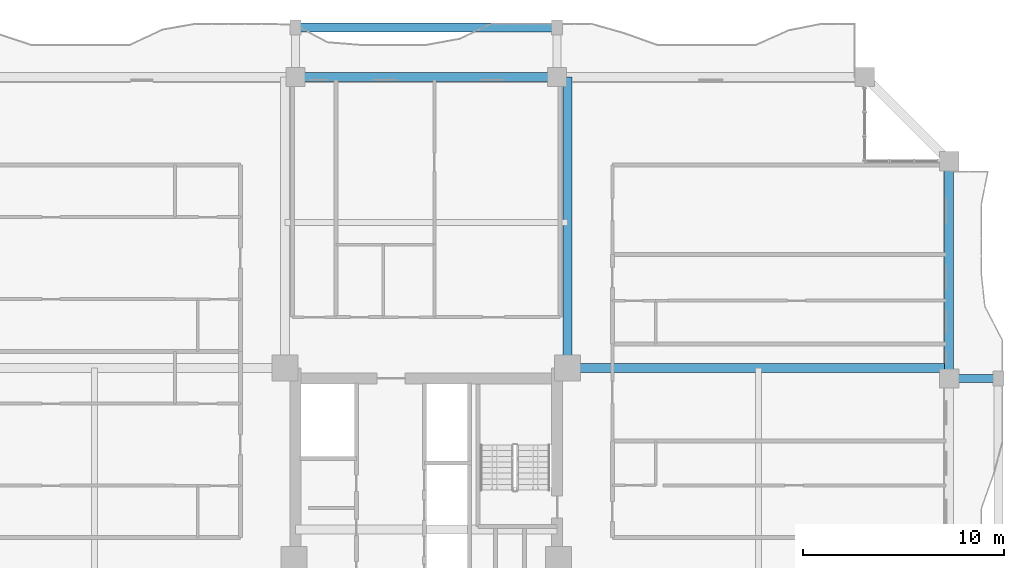
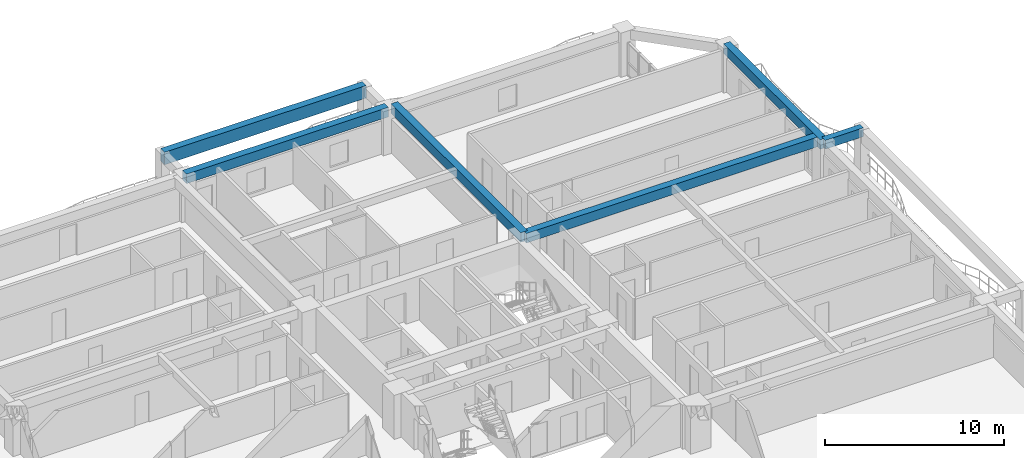
# One storey, part 9 of 24: 6 beams.
"""IFC4 building model written with IfcOpenShell, lengths in metres."""

import ifcopenshell
import ifcopenshell.guid

model = None  # the IFC model being written
_history = None  # IfcOwnerHistory: only IFC2X3 demands one
_inside = {}  # id of a spatial element -> (the spatial element, [elements in it])
_under = {}  # id of a project, library or spatial element -> (it, [spatial elements below it])
_declared = {}  # id of a project -> (the project, [libraries it declares])
_typed = {}  # id of a type object -> (the type object, [elements of that type])
_made_of = {}  # id of a material, layer set ... -> (it, [elements and type objects made of it])


def new_model(schema):
    """Start an empty IFC model of exactly this schema.

    Asked for "IFC4X3", IfcOpenShell would pick the latest addendum, in which some entities
    have other attributes; the version numbers below select the first issue.
    IFC2X3 requires an IfcOwnerHistory on every rooted entity: one is made here for all.
    """
    global model, _history
    if schema == "IFC4X3":
        model = ifcopenshell.file(schema_version=(4, 3, 0, 0))
    else:
        model = ifcopenshell.file(schema=schema)
    _inside.clear()
    _under.clear()
    _declared.clear()
    _typed.clear()
    _made_of.clear()
    _history = None
    if model.schema == "IFC2X3":
        org = make("IfcOrganization", Name="unknown")
        user = make(
            "IfcPersonAndOrganization",
            ThePerson=make("IfcPerson", FamilyName="unknown"),
            TheOrganization=org,
        )
        app = make(
            "IfcApplication",
            ApplicationDeveloper=org,
            Version="unknown",
            ApplicationFullName="unknown",
            ApplicationIdentifier="unknown",
        )
        _history = make(
            "IfcOwnerHistory",
            OwningUser=user,
            OwningApplication=app,
            ChangeAction="ADDED",
            CreationDate=0,
        )
    return model


def make(cls, **values):
    """One entity of the class cls with the attributes given. An attribute that is None is left unset."""
    return model.create_entity(
        cls, **{name: value for name, value in values.items() if value is not None}
    )


def rooted(cls, **values):
    """An entity with a GlobalId (a new one), such as an element, a storey or a relation."""
    return make(cls, GlobalId=ifcopenshell.guid.new(), OwnerHistory=_history, **values)


def si_unit(unit_type, name, prefix=None):
    """IfcSIUnit, for example si_unit("LENGTHUNIT", "METRE", prefix="MILLI")."""
    return make("IfcSIUnit", UnitType=unit_type, Prefix=prefix, Name=name)


def assignment(units):
    """IfcUnitAssignment: the units of a project."""
    return None if units is None else make("IfcUnitAssignment", Units=units)


def point(xyz):
    """IfcCartesianPoint."""
    return None if xyz is None else make("IfcCartesianPoint", Coordinates=xyz)


def direction(xyz):
    """IfcDirection."""
    return None if xyz is None else make("IfcDirection", DirectionRatios=xyz)


def frame(location, z_axis=None, x_axis=None):
    """IfcAxis2Placement3D, a coordinate frame: its origin and axes. An axis left out is left unset."""
    return make(
        "IfcAxis2Placement3D",
        Location=point(location),
        Axis=direction(z_axis),
        RefDirection=direction(x_axis),
    )


def frame_2d(location, x_axis=None):
    """IfcAxis2Placement2D, a coordinate frame in the plane: its origin and x axis."""
    return make(
        "IfcAxis2Placement2D", Location=point(location), RefDirection=direction(x_axis)
    )


def origin():
    """The frame at (0, 0, 0) with its axes left unset."""
    return frame((0.0, 0.0, 0.0))


def origin_2d():
    """The frame at (0, 0) in the plane with its x axis left unset."""
    return frame_2d((0.0, 0.0))


def place(relative_to, where):
    """IfcLocalPlacement: puts the frame where relative to a parent placement (None: the world)."""
    return make(
        "IfcLocalPlacement", PlacementRelTo=relative_to, RelativePlacement=where
    )


def context(
    kind, dimensions, precision=None, world=None, true_north=None, identifier=None
):
    """IfcGeometricRepresentationContext, for example the 3D "Model" context."""
    return make(
        "IfcGeometricRepresentationContext",
        ContextIdentifier=identifier,
        ContextType=kind,
        CoordinateSpaceDimension=dimensions,
        Precision=precision,
        WorldCoordinateSystem=world,
        TrueNorth=true_north,
    )


def subcontext(parent, identifier, kind, view, scale=None):
    """IfcGeometricRepresentationSubContext, for example "Body" below "Model"."""
    return make(
        "IfcGeometricRepresentationSubContext",
        ContextIdentifier=identifier,
        ContextType=kind,
        ParentContext=parent,
        TargetScale=scale,
        TargetView=view,
    )


def project(units=None, contexts=None):
    """IfcProject with its units and contexts."""
    return rooted(
        "IfcProject",
        Name="project",
        RepresentationContexts=contexts,
        UnitsInContext=assignment(units),
    )


def spatial(cls, under=None, at=None, **own):
    """A site, building, storey or space (cls), placed at a placement, below another one or the project."""
    s = rooted(cls, ObjectPlacement=at, **own)
    if under is not None:
        _under.setdefault(under.id(), (under, []))[1].append(s)
    return s


def profile(cls, at=None, kind="AREA", **sizes):
    """A parametric profile (cls). Its sizes go by their IFC names, for example OverallWidth=200.0."""
    return make(cls, ProfileType=kind, Position=at, **sizes)


def rectangle(**sizes):
    """IfcRectangleProfileDef."""
    return profile("IfcRectangleProfileDef", **sizes)


def extrude(swept, where, along, depth):
    """IfcExtrudedAreaSolid: the profile swept, set in the frame where, extruded along a direction by depth."""
    return make(
        "IfcExtrudedAreaSolid",
        SweptArea=swept,
        Position=where,
        ExtrudedDirection=direction(along),
        Depth=depth,
    )


def shape(context_of_items, identifier, shape_type, items):
    """IfcShapeRepresentation: the items that make up one representation, for example the "Body"."""
    return make(
        "IfcShapeRepresentation",
        ContextOfItems=context_of_items,
        RepresentationIdentifier=identifier,
        RepresentationType=shape_type,
        Items=items,
    )


def source(mapping_origin, context_of_items, identifier, shape_type, items):
    """IfcRepresentationMap: a shape defined once, which mapped items show again and again."""
    return make(
        "IfcRepresentationMap",
        MappingOrigin=mapping_origin,
        MappedRepresentation=shape(context_of_items, identifier, shape_type, items),
    )


def transform(
    local_origin,
    x_axis=None,
    y_axis=None,
    z_axis=None,
    scale=None,
    scale2=None,
    scale3=None,
    uniform=True,
):
    """IfcCartesianTransformationOperator3D, or its non-uniform kind. x_axis, y_axis, z_axis: its Axis1, 2, 3."""
    if uniform:
        return make(
            "IfcCartesianTransformationOperator3D",
            Axis1=direction(x_axis),
            Axis2=direction(y_axis),
            LocalOrigin=point(local_origin),
            Scale=scale,
            Axis3=direction(z_axis),
        )
    return make(
        "IfcCartesianTransformationOperator3DnonUniform",
        Axis1=direction(x_axis),
        Axis2=direction(y_axis),
        LocalOrigin=point(local_origin),
        Scale=scale,
        Axis3=direction(z_axis),
        Scale2=scale2,
        Scale3=scale3,
    )


def mapped(mapping_source, mapping_target):
    """IfcMappedItem: shows the shape of a source again, moved by a transform."""
    return make(
        "IfcMappedItem", MappingSource=mapping_source, MappingTarget=mapping_target
    )


def material(Name=None, Category=None):
    """IfcMaterial."""
    return make("IfcMaterial", Name=Name, Category=Category)


def material_profile(
    of_material, cross_section, Name=None, Category=None, Priority=None
):
    """IfcMaterialProfile: a cross section and its material."""
    return make(
        "IfcMaterialProfile",
        Name=Name,
        Material=of_material,
        Profile=cross_section,
        Priority=Priority,
        Category=Category,
    )


def profile_set(profiles, Name=None, composite=None):
    """IfcMaterialProfileSet."""
    return make(
        "IfcMaterialProfileSet",
        Name=Name,
        MaterialProfiles=profiles,
        CompositeProfile=composite,
    )


def made_of(thing, what):
    """Note that an element or type object is made of a material, layer set ...; save() writes the relation."""
    if what is not None:
        _made_of.setdefault(what.id(), (what, []))[1].append(thing)
    return thing


def type_object(cls, material=None, **own):
    """A type object (cls), such as IfcWallType, which elements share."""
    return made_of(rooted(cls, **own), material)


def element(
    cls,
    number,
    at=None,
    inside=None,
    cuts=None,
    type_object=None,
    material=None,
    context=None,
    identifier="Body",
    shape_type=None,
    held_by="IfcProductDefinitionShape",
    body=None,
    shapes=None,
    **own,
):
    """One element of the class cls, such as IfcWall. Its Tag is "e" and its number.

    at: its placement. inside: the storey or other place that contains it. cuts: it is an
    opening in that element (IfcRelVoidsElement). A single representation is given by context,
    identifier, shape_type and body (its items); several are given by shapes. held_by: the class
    of the entity that holds the representations. save() writes the other relations.
    """
    e = rooted(cls, Tag="e%d" % number, ObjectPlacement=at, **own)
    if body is not None:
        shapes = [shape(context, identifier, shape_type, body)]
    if shapes is not None:
        e.Representation = make(held_by, Representations=shapes)
    if inside is not None:
        _inside.setdefault(inside.id(), (inside, []))[1].append(e)
    if cuts is not None:
        rooted(
            "IfcRelVoidsElement", RelatingBuildingElement=cuts, RelatedOpeningElement=e
        )
    if type_object is not None:
        _typed.setdefault(type_object.id(), (type_object, []))[1].append(e)
    return made_of(e, material)


def aggregate(whole, parts):
    """IfcRelAggregates: a whole, such as a stair, and the parts it consists of."""
    return rooted("IfcRelAggregates", RelatingObject=whole, RelatedObjects=parts)


def save(model, path):
    """Write the relations noted so far, then the file.

    IfcRelAggregates (storeys below a building ...), IfcRelContainedInSpatialStructure (elements
    in a storey), IfcRelDefinesByType, IfcRelAssociatesMaterial and IfcRelDeclares: one each for
    every whole, place, type object, material and project.
    """
    for whole, parts in _under.values():
        aggregate(whole, parts)
    for where, things in _inside.values():
        rooted(
            "IfcRelContainedInSpatialStructure",
            RelatedElements=things,
            RelatingStructure=where,
        )
    for kind, things in _typed.values():
        rooted("IfcRelDefinesByType", RelatedObjects=things, RelatingType=kind)
    for what, things in _made_of.values():
        rooted("IfcRelAssociatesMaterial", RelatedObjects=things, RelatingMaterial=what)
    for by, libraries in _declared.values():
        rooted("IfcRelDeclares", RelatingContext=by, RelatedDefinitions=libraries)
    model.write(path)


model = new_model("IFC4")

# Units and contexts
model_context = context("Model", 3, precision=1e-05, world=origin(), true_north=direction((0.0, 1.0)))
body_context = subcontext(model_context, "Body", "Model", "MODEL_VIEW")
ifc_project = project(units=[si_unit("LENGTHUNIT", "METRE"), si_unit("AREAUNIT", "SQUARE_METRE"), si_unit("VOLUMEUNIT", "CUBIC_METRE"), si_unit("PLANEANGLEUNIT", "RADIAN"), si_unit("MASSUNIT", "GRAM", prefix="KILO")], contexts=[model_context])

# Site, building, storey
site_placement = place(None, origin())
site = spatial("IfcSite", under=ifc_project, at=site_placement, CompositionType="ELEMENT")
building_placement = place(site_placement, origin())
building = spatial("IfcBuilding", under=site, at=building_placement, Name="Saelheon Loggia Tower", CompositionType="ELEMENT")
storey_placement = place(building_placement, frame((0.0, 0.0, 126.75)))
storey = spatial("IfcBuildingStorey", under=building, at=storey_placement, Name="L40", CompositionType="ELEMENT", Elevation=126.75)

# Beams
ifc_material_1 = material(Name="Precast Concrete C45/55", Category="concrete")
ifc_material_profile_1 = material_profile(ifc_material_1, rectangle(XDim=0.449951171875, YDim=0.85009765625, at=origin_2d()), Name="RC-450x850")
ifc_profile_set_1 = profile_set([ifc_material_profile_1], Name="Precast Concrete C45/55")
beam_type_1 = type_object("IfcBeamType", Name="Beam_LoggiaSpandrel_RC450x850", PredefinedType="SPANDREL", material=ifc_profile_set_1)
shared_shape_1 = source(origin(), body_context, "Body", "SweptSolid", [
    extrude(rectangle(XDim=0.449951171875, YDim=0.85009765625, at=origin_2d()), origin(), (0.0, 0.0, 1.0), 13.0),
])
beam_1_placement = place(storey_placement, frame((31.5, 53.449951171875, 2.574951171875), z_axis=(1.0, 0.0, 0.0), x_axis=(0.0, 1.0, 0.0)))
element("IfcBeam", 1, at=beam_1_placement, inside=storey, type_object=beam_type_1, Name="L40 Loggia Spandrel Beam N", PredefinedType="SPANDREL", context=body_context, shape_type="MappedRepresentation", body=[
    mapped(shared_shape_1, transform((0.0, 0.0, 0.0), scale=1.0)),
])
ifc_material_profile_2 = material_profile(ifc_material_1, rectangle(XDim=0.39990234375, YDim=0.60009765625, at=origin_2d()), Name="RC-400x600")
ifc_profile_set_2 = profile_set([ifc_material_profile_2], Name="Precast Concrete C45/55")
beam_type_2 = type_object("IfcBeamType", Name="Beam_LoggiaTie_RC400x600", PredefinedType="BEAM", material=ifc_profile_set_2)
shared_shape_2 = source(origin(), body_context, "Body", "SweptSolid", [
    extrude(rectangle(XDim=0.39990234375, YDim=0.60009765625, at=origin_2d()), origin(), (0.0, 0.0, 1.0), 2.449951171875),
])
beam_2_placement = place(storey_placement, frame((64.0, 36.0, 2.699951171875), z_axis=(1.0, 0.0, 0.0), x_axis=(0.0, 1.0, 0.0)))
element("IfcBeam", 2, at=beam_2_placement, inside=storey, type_object=beam_type_2, Name="L40 Loggia Frame Tie Beam LP-E2", PredefinedType="BEAM", context=body_context, shape_type="MappedRepresentation", body=[
    mapped(shared_shape_2, transform((0.0, 0.0, 0.0), scale=1.0)),
])
ifc_material_2 = material(Name="Concrete C40/50", Category="concrete")
ifc_material_profile_3 = material_profile(ifc_material_2, rectangle(XDim=0.449951171875, YDim=0.64990234375, at=origin_2d()), Name="RC-450x650")
ifc_profile_set_3 = profile_set([ifc_material_profile_3], Name="Concrete C40/50")
beam_type_3 = type_object("IfcBeamType", Name="Beam_PerimTower_RC450x650", PredefinedType="BEAM", material=ifc_profile_set_3)
shared_shape_3 = source(origin(), body_context, "Body", "SweptSolid", [
    extrude(rectangle(XDim=0.449951171875, YDim=0.64990234375, at=origin_2d()), origin(), (0.0, 0.0, 1.0), 13.0),
])
beam_3_placement = place(storey_placement, frame((44.5, 51.0, 2.675048828125), z_axis=(-1.0, 0.0, 0.0), x_axis=(0.0, -1.0, 0.0)))
element("IfcBeam", 3, at=beam_3_placement, inside=storey, type_object=beam_type_3, Name="L40 Perimeter Frame Girder 10", PredefinedType="BEAM", context=body_context, shape_type="MappedRepresentation", body=[
    mapped(shared_shape_3, transform((0.0, 0.0, 0.0), scale=1.0)),
])
shared_shape_4 = source(origin(), body_context, "Body", "SweptSolid", [
    extrude(rectangle(XDim=0.449951171875, YDim=0.64990234375, at=origin_2d()), origin(), (0.0, 0.0, 1.0), 10.800048828125),
])
beam_4_placement = place(storey_placement, frame((64.0, 36.0, 2.675048828125), z_axis=(0.0, 1.0, 0.0), x_axis=(-1.0, 0.0, 0.0)))
element("IfcBeam", 4, at=beam_4_placement, inside=storey, type_object=beam_type_3, Name="L40 Perimeter Frame Girder 07", PredefinedType="BEAM", context=body_context, shape_type="MappedRepresentation", body=[
    mapped(shared_shape_4, transform((0.0, 0.0, 0.0), scale=1.0)),
])
ifc_material_profile_4 = material_profile(ifc_material_2, rectangle(XDim=0.449951171875, YDim=0.64990234375, at=origin_2d()), Name="RC-450x650")
ifc_profile_set_4 = profile_set([ifc_material_profile_4], Name="Concrete C40/50")
beam_type_4 = type_object("IfcBeamType", Name="Beam_TowerGirder_RC450x650", PredefinedType="BEAM", material=ifc_profile_set_4)
shared_shape_5 = source(origin(), body_context, "Body", "SweptSolid", [
    extrude(rectangle(XDim=0.449951171875, YDim=0.64990234375, at=origin_2d()), origin(), (0.0, 0.0, 1.0), 14.47998046875),
])
beam_5_placement = place(storey_placement, frame((45.02001953125, 36.52001953125, 2.675048828125), z_axis=(0.0, 1.0, 0.0), x_axis=(-1.0, 0.0, 0.0)))
element("IfcBeam", 5, at=beam_5_placement, inside=storey, type_object=beam_type_4, Name="L40 Radial Floor Girder RAD-NE-N", PredefinedType="BEAM", context=body_context, shape_type="MappedRepresentation", body=[
    mapped(shared_shape_5, transform((0.0, 0.0, 0.0), scale=1.0)),
])
shared_shape_6 = source(origin(), body_context, "Body", "SweptSolid", [
    extrude(rectangle(XDim=0.449951171875, YDim=0.64990234375, at=origin_2d()), origin(), (0.0, 0.0, 1.0), 18.97998046875),
])
beam_6_placement = place(storey_placement, frame((45.02001953125, 36.52001953125, 2.675048828125), z_axis=(1.0, 0.0, 0.0), x_axis=(0.0, 1.0, 0.0)))
element("IfcBeam", 6, at=beam_6_placement, inside=storey, type_object=beam_type_4, Name="L40 Radial Floor Girder RAD-NE-E", PredefinedType="BEAM", context=body_context, shape_type="MappedRepresentation", body=[
    mapped(shared_shape_6, transform((0.0, 0.0, 0.0), scale=1.0)),
])

save(model, "model.ifc")
